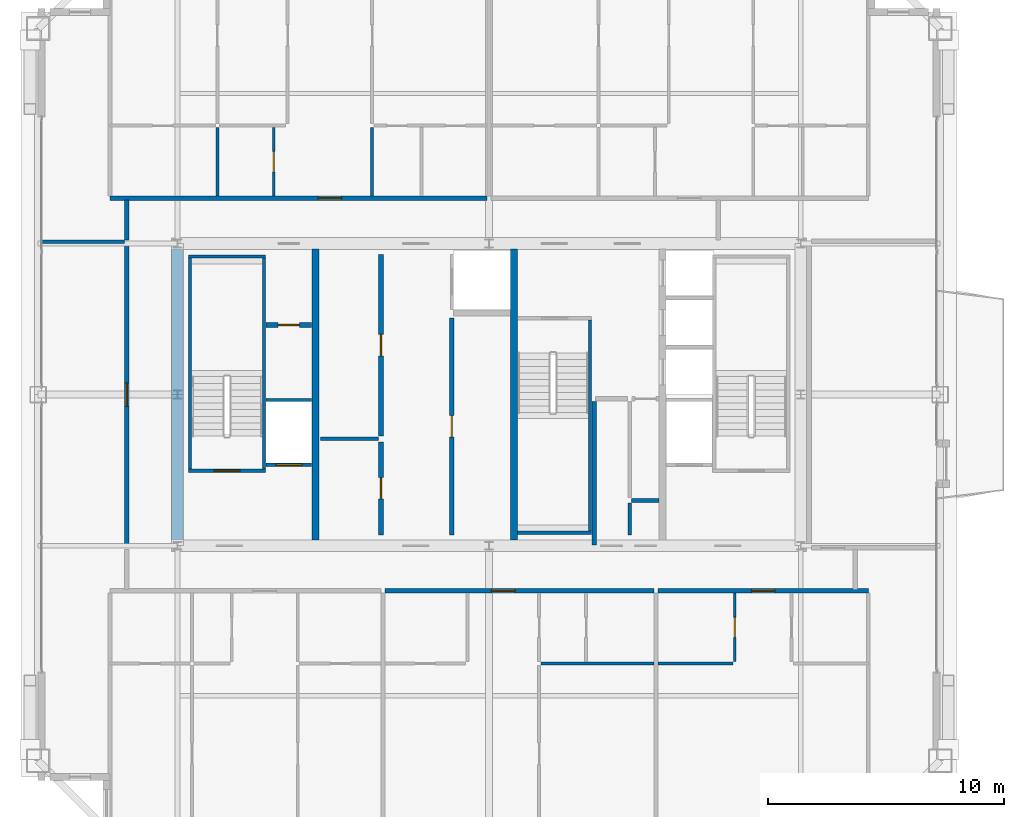
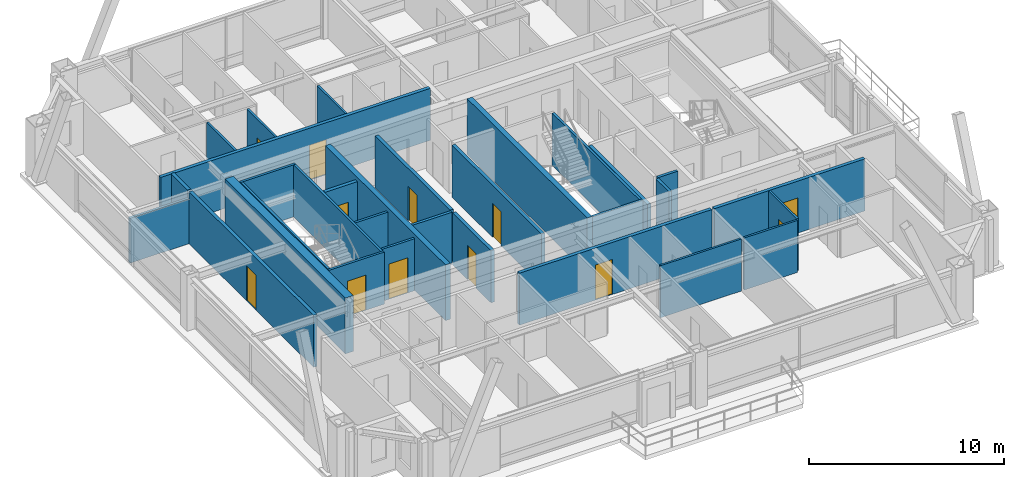
# One storey, part 31 of 35: 31 walls, 12 doors, 12 openings.
"""IFC4 building model written with IfcOpenShell, lengths in metres."""

from ifc_helpers import new_model, si_unit, direction, frame, frame_2d, origin, place, context, subcontext, project, spatial, rectangle, extrude, source, transform, mapped, material, layer, layer_set, type_object, element, fill, save


model = new_model("IFC4")

# Units and contexts
model_context = context("Model", 3, precision=1e-05, world=origin(), true_north=direction((0.0, 1.0)))
body_context = subcontext(model_context, "Body", "Model", "MODEL_VIEW")
ifc_project = project(units=[si_unit("LENGTHUNIT", "METRE"), si_unit("AREAUNIT", "SQUARE_METRE"), si_unit("VOLUMEUNIT", "CUBIC_METRE"), si_unit("PLANEANGLEUNIT", "RADIAN"), si_unit("MASSUNIT", "GRAM", prefix="KILO"), si_unit("THERMODYNAMICTEMPERATUREUNIT", "KELVIN"), si_unit("POWERUNIT", "WATT")], contexts=[model_context])

# Site, building, storey
site_placement = place(None, origin())
site = spatial("IfcSite", under=ifc_project, at=site_placement, CompositionType="ELEMENT")
building_placement = place(site_placement, origin())
building = spatial("IfcBuilding", under=site, at=building_placement, Name="Yuzanri Waterfront Tower", CompositionType="ELEMENT")
storey_placement = place(building_placement, frame((0.0, 0.0, 335.699951171875)))
storey = spatial("IfcBuildingStorey", under=building, at=storey_placement, Name="L90", CompositionType="ELEMENT", Elevation=335.699951171875)

# Wall, opening, door
ifc_material_1 = material(Name="Moisture-Resistant Gypsum Stud Wall", Category="gypsum")
ifc_layer_1 = layer(ifc_material_1, 0.1201171875)
ifc_layer_set_1 = layer_set([ifc_layer_1], Name="Moisture-Resistant Gypsum Stud Wall")
wall_type_1 = type_object("IfcWallType", Name="Bathroom and Kitchen Wet Partition 120", PredefinedType="PARTITIONING", material=ifc_layer_set_1)
wall_1_placement = place(storey_placement, frame((47.40087890625, 14.489990234375, 0.0), z_axis=(0.0, 0.0, 1.0), x_axis=(0.0, 1.0, 0.0)))
wall_1 = element("IfcWall", 1, at=wall_1_placement, inside=storey, type_object=wall_type_1, Name="L90 Partition UW-L90-HS3-SUB-1-E", PredefinedType="PARTITIONING", context=body_context, shape_type="SweptSolid", body=[
    extrude(rectangle(XDim=2.89990234375, YDim=0.1201171875, at=frame_2d((1.449951171875, 0.0))), origin(), (0.0, 0.0, 1.0), 3.260009765625),
])
opening_1_placement = place(wall_1_placement, frame((1.02490234375, 0.0, 0.0)))
opening_1 = element("IfcOpeningElement", 2, at=opening_1_placement, cuts=wall_1, Name="Opening ID-0850", PredefinedType="OPENING", context=body_context, shape_type="SweptSolid", body=[
    extrude(rectangle(XDim=0.85009765625, YDim=2.10009765625, at=frame_2d((0.425048828125, 1.050048828125))), frame((0.0, 0.074951171875, 0.0), z_axis=(0.0, -1.0, 0.0), x_axis=(1.0, 0.0, 0.0)), (0.0, 0.0, 1.0), 0.14990234375),
])
ifc_material_2 = material(Name="Moisture-Resistant Lacquered Timber", Category="wood")
door_type_1 = type_object("IfcDoorType", Name="En-Suite Bathroom and Kitchen Swing Door 850x2100", OperationType="NOTDEFINED", PredefinedType="DOOR", material=ifc_material_2)
shared_shape_1 = source(origin(), body_context, "Body", "SweptSolid", [
    extrude(rectangle(XDim=0.85009765625, YDim=2.10009765625, at=frame_2d((0.425048828125, 1.050048828125))), frame((0.0, 0.02490234375, 0.0), z_axis=(0.0, -1.0, 0.0), x_axis=(1.0, 0.0, 0.0)), (0.0, 0.0, 1.0), 0.050048828125),
])
door_1_placement = place(opening_1_placement, origin())
door_1 = element("IfcDoor", 3, at=door_1_placement, inside=storey, type_object=door_type_1, Name="L90 Suite Interior Room Door", OperationType="SINGLE_SWING_RIGHT", OverallHeight=2.10009765625, OverallWidth=0.85009765625, PredefinedType="DOOR", context=body_context, shape_type="MappedRepresentation", body=[
    mapped(shared_shape_1, transform((0.0, 0.0, 0.0), scale=1.0)),
])
fill(opening_1, door_1)

wall_2_placement = place(storey_placement, frame((27.882080078125, 34.2099609375, 0.0), z_axis=(0.0, 0.0, 1.0), x_axis=(0.0, 1.0, 0.0)))
wall_2 = element("IfcWall", 4, at=wall_2_placement, inside=storey, type_object=wall_type_1, Name="L90 Partition UW-L90-HN1-SUB-2-E", PredefinedType="PARTITIONING", context=body_context, shape_type="SweptSolid", body=[
    extrude(rectangle(XDim=2.900146484375, YDim=0.1201171875, at=frame_2d((1.4501953125, 0.0))), origin(), (0.0, 0.0, 1.0), 3.260009765625),
])
opening_2_placement = place(wall_2_placement, frame((1.02490234375, 0.0, 0.0)))
opening_2 = element("IfcOpeningElement", 5, at=opening_2_placement, cuts=wall_2, Name="Opening ID-0850", PredefinedType="OPENING", context=body_context, shape_type="SweptSolid", body=[
    extrude(rectangle(XDim=0.85009765625, YDim=2.10009765625, at=frame_2d((0.425048828125, 1.050048828125))), frame((0.0, 0.074951171875, 0.0), z_axis=(0.0, -1.0, 0.0), x_axis=(1.0, 0.0, 0.0)), (0.0, 0.0, 1.0), 0.14990234375),
])
door_2_placement = place(opening_2_placement, origin())
door_2 = element("IfcDoor", 6, at=door_2_placement, inside=storey, type_object=door_type_1, Name="L90 Suite Interior Room Door", OperationType="SINGLE_SWING_RIGHT", OverallHeight=2.10009765625, OverallWidth=0.85009765625, PredefinedType="DOOR", context=body_context, shape_type="MappedRepresentation", body=[
    mapped(shared_shape_1, transform((0.0, 0.0, 0.0), scale=1.0)),
])
fill(opening_2, door_2)

ifc_material_3 = material(Name="Concrete C40", Category="concrete")
ifc_layer_2 = layer(ifc_material_3, 0.139892578125)
ifc_layer_set_2 = layer_set([ifc_layer_2], Name="Concrete C40")
wall_type_2 = type_object("IfcWallType", Name="Core Stair Liner and Hoistway Shaft Wall 140", PredefinedType="SOLIDWALL", material=ifc_layer_set_2)
wall_3_placement = place(storey_placement, frame((27.56005859375, 22.830078125, 0.0), z_axis=(0.0, 0.0, 1.0), x_axis=(1.0, 0.0, 0.0)))
wall_3 = element("IfcWall", 7, at=wall_3_placement, inside=storey, type_object=wall_type_2, Name="L90 Lift FL-01 Front Shaft Wall", PredefinedType="SOLIDWALL", context=body_context, shape_type="SweptSolid", body=[
    extrude(rectangle(XDim=1.919921875, YDim=0.139892578125, at=frame_2d((0.9599609375, 0.0))), origin(), (0.0, 0.0, 1.0), 3.260009765625),
])
opening_3_placement = place(wall_3_placement, frame((0.409912109375, 0.0, 0.0)))
opening_3 = element("IfcOpeningElement", 8, at=opening_3_placement, cuts=wall_3, Name="Opening LD-FL-01", PredefinedType="OPENING", context=body_context, shape_type="SweptSolid", body=[
    extrude(rectangle(XDim=1.10009765625, YDim=2.199951171875, at=frame_2d((0.550048828125, 1.10009765625))), frame((0.0, 0.0849609375, 0.0), z_axis=(0.0, -1.0, 0.0), x_axis=(1.0, 0.0, 0.0)), (0.0, 0.0, 1.0), 0.169677734375),
])
ifc_material_4 = material(Name="Brushed Bronze and Stainless Steel Cab", Category="steel")
door_type_2 = type_object("IfcDoorType", Name="Center-Parting Bronze Lift Landing Sliding Door 1100x2200", OperationType="NOTDEFINED", PredefinedType="DOOR", material=ifc_material_4)
shared_shape_2 = source(origin(), body_context, "Body", "SweptSolid", [
    extrude(rectangle(XDim=1.10009765625, YDim=2.199951171875, at=frame_2d((0.550048828125, 1.10009765625))), frame((0.0, 0.02490234375, 0.0), z_axis=(0.0, -1.0, 0.0), x_axis=(1.0, 0.0, 0.0)), (0.0, 0.0, 1.0), 0.050048828125),
])
door_3_placement = place(opening_3_placement, origin())
door_3 = element("IfcDoor", 9, at=door_3_placement, inside=storey, type_object=door_type_2, Name="L90 FL-01 Lift Landing Sliding Door", OperationType="SLIDING_TO_LEFT", OverallHeight=2.199951171875, OverallWidth=1.10009765625, PredefinedType="DOOR", context=body_context, shape_type="MappedRepresentation", body=[
    mapped(shared_shape_2, transform((0.0, 0.0, 0.0), scale=1.0)),
])
fill(opening_3, door_3)

wall_4_placement = place(storey_placement, frame((24.260009765625, 22.570068359375, 0.0), z_axis=(0.0, 0.0, 1.0), x_axis=(1.0, 0.0, 0.0)))
wall_4 = element("IfcWall", 10, at=wall_4_placement, inside=storey, type_object=wall_type_2, Name="L90 Shaft Wall STW-L90-ST-01-S", PredefinedType="SOLIDWALL", context=body_context, shape_type="SweptSolid", body=[
    extrude(rectangle(XDim=3.280029296875, YDim=0.139892578125, at=frame_2d((1.64013671875, 0.0))), origin(), (0.0, 0.0, 1.0), 3.260009765625),
])
opening_4_placement = place(wall_4_placement, frame((1.090087890625, 0.0, 0.0)))
opening_4 = element("IfcOpeningElement", 11, at=opening_4_placement, cuts=wall_4, Name="Opening FD-1100", PredefinedType="OPENING", context=body_context, shape_type="SweptSolid", body=[
    extrude(rectangle(XDim=1.10009765625, YDim=2.199951171875, at=frame_2d((0.550048828125, 1.10009765625))), frame((0.0, 0.0849609375, 0.0), z_axis=(0.0, -1.0, 0.0), x_axis=(1.0, 0.0, 0.0)), (0.0, 0.0, 1.0), 0.169677734375),
])
ifc_material_5 = material(Name="Painted Galvanized Fire Steel", Category="steel")
door_type_3 = type_object("IfcDoorType", Name="Smoke-Proof Stair and Lobby Fire Door 1100x2200", OperationType="NOTDEFINED", PredefinedType="DOOR", material=ifc_material_5)
shared_shape_3 = source(origin(), body_context, "Body", "SweptSolid", [
    extrude(rectangle(XDim=1.10009765625, YDim=2.199951171875, at=frame_2d((0.550048828125, 1.10009765625))), frame((0.0, 0.02490234375, 0.0), z_axis=(0.0, -1.0, 0.0), x_axis=(1.0, 0.0, 0.0)), (0.0, 0.0, 1.0), 0.050048828125),
])
door_4_placement = place(opening_4_placement, origin())
door_4 = element("IfcDoor", 12, at=door_4_placement, inside=storey, type_object=door_type_3, Name="L90 Stair ST-01 Fire Door", OperationType="SINGLE_SWING_LEFT", OverallHeight=2.199951171875, OverallWidth=1.10009765625, PredefinedType="DOOR", context=body_context, shape_type="MappedRepresentation", body=[
    mapped(shared_shape_3, transform((0.0, 0.0, 0.0), scale=1.0)),
])
fill(opening_4, door_4)

ifc_material_6 = material(Name="Autoclaved Aerated Concrete Blockwork", Category="masonry")
ifc_layer_3 = layer(ifc_material_6, 0.199951171875)
ifc_layer_set_3 = layer_set([ifc_layer_3], Name="Autoclaved Aerated Concrete Blockwork")
wall_type_3 = type_object("IfcWallType", Name="Corridor and Unit Party Fire Wall 200", PredefinedType="PARTITIONING", material=ifc_layer_set_3)
wall_5_placement = place(storey_placement, frame((27.56005859375, 28.75, 0.0), z_axis=(0.0, 0.0, 1.0), x_axis=(1.0, 0.0, 0.0)))
wall_5 = element("IfcWall", 13, at=wall_5_placement, inside=storey, type_object=wall_type_3, Name="L90 Partition CRW-L90-ERTR", PredefinedType="PARTITIONING", context=body_context, shape_type="SweptSolid", body=[
    extrude(rectangle(XDim=1.919921875, YDim=0.199951171875, at=frame_2d((0.9599609375, 0.0))), origin(), (0.0, 0.0, 1.0), 3.260009765625),
])
opening_5_placement = place(wall_5_placement, frame((0.510009765625, 0.0, 0.0)))
opening_5 = element("IfcOpeningElement", 14, at=opening_5_placement, cuts=wall_5, Name="Opening FD-0900", PredefinedType="OPENING", context=body_context, shape_type="SweptSolid", body=[
    extrude(rectangle(XDim=0.89990234375, YDim=2.14990234375, at=frame_2d((0.449951171875, 1.074951171875))), frame((0.0, 0.11474609375, 0.0), z_axis=(0.0, -1.0, 0.0), x_axis=(1.0, 0.0, 0.0)), (0.0, 0.0, 1.0), 0.229736328125),
])
ifc_material_7 = material(Name="Painted Galvanized Fire Steel", Category="steel")
door_type_4 = type_object("IfcDoorType", Name="Riser and Service Room Fire Door 900x2150", OperationType="NOTDEFINED", PredefinedType="DOOR", material=ifc_material_7)
shared_shape_4 = source(origin(), body_context, "Body", "SweptSolid", [
    extrude(rectangle(XDim=0.89990234375, YDim=2.14990234375, at=frame_2d((0.449951171875, 1.074951171875))), frame((0.0, 0.02490234375, 0.0), z_axis=(0.0, -1.0, 0.0), x_axis=(1.0, 0.0, 0.0)), (0.0, 0.0, 1.0), 0.050048828125),
])
door_5_placement = place(opening_5_placement, origin())
door_5 = element("IfcDoor", 15, at=door_5_placement, inside=storey, type_object=door_type_4, Name="L90 Electrical Riser Door", OperationType="SINGLE_SWING_LEFT", OverallHeight=2.14990234375, OverallWidth=0.89990234375, PredefinedType="DOOR", context=body_context, shape_type="MappedRepresentation", body=[
    mapped(shared_shape_4, transform((0.0, 0.0, 0.0), scale=1.0)),
])
fill(opening_5, door_5)

wall_6_placement = place(storey_placement, frame((32.419921875, 19.860107421875, 0.0), z_axis=(0.0, 0.0, 1.0), x_axis=(0.0, 1.0, 0.0)))
wall_6 = element("IfcWall", 16, at=wall_6_placement, inside=storey, type_object=wall_type_3, Name="L90 Partition CRW-L90-B1R-1", PredefinedType="PARTITIONING", context=body_context, shape_type="SweptSolid", body=[
    extrude(rectangle(XDim=3.93994140625, YDim=0.199951171875, at=frame_2d((1.969970703125, 0.0))), origin(), (0.0, 0.0, 1.0), 3.260009765625),
])
opening_6_placement = place(wall_6_placement, frame((1.52001953125, 0.0, 0.0)))
opening_6 = element("IfcOpeningElement", 17, at=opening_6_placement, cuts=wall_6, Name="Opening FD-0900", PredefinedType="OPENING", context=body_context, shape_type="SweptSolid", body=[
    extrude(rectangle(XDim=0.89990234375, YDim=2.14990234375, at=frame_2d((0.449951171875, 1.074951171875))), frame((0.0, 0.11474609375, 0.0), z_axis=(0.0, -1.0, 0.0), x_axis=(1.0, 0.0, 0.0)), (0.0, 0.0, 1.0), 0.229736328125),
])
door_6_placement = place(opening_6_placement, origin())
door_6 = element("IfcDoor", 18, at=door_6_placement, inside=storey, type_object=door_type_4, Name="L90 Janitor Supply Store Room", OperationType="SINGLE_SWING_RIGHT", OverallHeight=2.14990234375, OverallWidth=0.89990234375, PredefinedType="DOOR", context=body_context, shape_type="MappedRepresentation", body=[
    mapped(shared_shape_4, transform((0.0, 0.0, 0.0), scale=1.0)),
])
fill(opening_6, door_6)

wall_7_placement = place(storey_placement, frame((32.419921875, 24.050048828125, 0.0), z_axis=(0.0, 0.0, 1.0), x_axis=(0.0, 1.0, 0.0)))
wall_7 = element("IfcWall", 19, at=wall_7_placement, inside=storey, type_object=wall_type_3, Name="L90 Partition CRW-L90-B1R-2", PredefinedType="PARTITIONING", context=body_context, shape_type="SweptSolid", body=[
    extrude(rectangle(XDim=7.68994140625, YDim=0.199951171875, at=frame_2d((3.844970703125, 0.0))), origin(), (0.0, 0.0, 1.0), 3.260009765625),
])
opening_7_placement = place(wall_7_placement, frame((3.39501953125, 0.0, 0.0)))
opening_7 = element("IfcOpeningElement", 20, at=opening_7_placement, cuts=wall_7, Name="Opening FD-0900", PredefinedType="OPENING", context=body_context, shape_type="SweptSolid", body=[
    extrude(rectangle(XDim=0.89990234375, YDim=2.14990234375, at=frame_2d((0.449951171875, 1.074951171875))), frame((0.0, 0.11474609375, 0.0), z_axis=(0.0, -1.0, 0.0), x_axis=(1.0, 0.0, 0.0)), (0.0, 0.0, 1.0), 0.229736328125),
])
door_7_placement = place(opening_7_placement, origin())
door_7 = element("IfcDoor", 21, at=door_7_placement, inside=storey, type_object=door_type_4, Name="L90 Common Store Room", OperationType="SINGLE_SWING_LEFT", OverallHeight=2.14990234375, OverallWidth=0.89990234375, PredefinedType="DOOR", context=body_context, shape_type="MappedRepresentation", body=[
    mapped(shared_shape_4, transform((0.0, 0.0, 0.0), scale=1.0)),
])
fill(opening_7, door_7)

wall_8_placement = place(storey_placement, frame((35.419921875, 19.860107421875, 0.0), z_axis=(0.0, 0.0, 1.0), x_axis=(0.0, 1.0, 0.0)))
wall_8 = element("IfcWall", 22, at=wall_8_placement, inside=storey, type_object=wall_type_3, Name="L90 Partition CRW-L90-B2R-1", PredefinedType="PARTITIONING", context=body_context, shape_type="SweptSolid", body=[
    extrude(rectangle(XDim=9.18994140625, YDim=0.199951171875, at=frame_2d((4.594970703125, 0.0))), origin(), (0.0, 0.0, 1.0), 3.260009765625),
])
opening_8_placement = place(wall_8_placement, frame((4.14501953125, 0.0, 0.0)))
opening_8 = element("IfcOpeningElement", 23, at=opening_8_placement, cuts=wall_8, Name="Opening FD-0900", PredefinedType="OPENING", context=body_context, shape_type="SweptSolid", body=[
    extrude(rectangle(XDim=0.89990234375, YDim=2.14990234375, at=frame_2d((0.449951171875, 1.074951171875))), frame((0.0, 0.11474609375, 0.0), z_axis=(0.0, -1.0, 0.0), x_axis=(1.0, 0.0, 0.0)), (0.0, 0.0, 1.0), 0.229736328125),
])
door_8_placement = place(opening_8_placement, origin())
door_8 = element("IfcDoor", 24, at=door_8_placement, inside=storey, type_object=door_type_4, Name="L90 Upper General Store Room", OperationType="SINGLE_SWING_RIGHT", OverallHeight=2.14990234375, OverallWidth=0.89990234375, PredefinedType="DOOR", context=body_context, shape_type="MappedRepresentation", body=[
    mapped(shared_shape_4, transform((0.0, 0.0, 0.0), scale=1.0)),
])
fill(opening_8, door_8)

wall_9_placement = place(storey_placement, frame((32.5830078125, 17.489990234375, 0.0), z_axis=(0.0, 0.0, 1.0), x_axis=(1.0, 0.0, 0.0)))
wall_9 = element("IfcWall", 25, at=wall_9_placement, inside=storey, type_object=wall_type_3, Name="L90 Partition UW-L90-HS2-CN", PredefinedType="PARTITIONING", context=body_context, shape_type="SweptSolid", body=[
    extrude(rectangle(XDim=11.403076171875, YDim=0.199951171875, at=frame_2d((5.70166015625, 0.0))), origin(), (0.0, 0.0, 1.0), 3.260009765625),
])
opening_9_placement = place(wall_9_placement, frame((4.51708984375, 0.0, 0.0)))
opening_9 = element("IfcOpeningElement", 26, at=opening_9_placement, cuts=wall_9, Name="Opening FD-1000", PredefinedType="OPENING", context=body_context, shape_type="SweptSolid", body=[
    extrude(rectangle(XDim=1.0, YDim=2.199951171875, at=frame_2d((0.5, 1.10009765625))), frame((0.0, 0.11474609375, 0.0), z_axis=(0.0, -1.0, 0.0), x_axis=(1.0, 0.0, 0.0)), (0.0, 0.0, 1.0), 0.229736328125),
])
ifc_material_8 = material(Name="Engineered Oak Fire-Rated Timber", Category="wood")
door_type_5 = type_object("IfcDoorType", Name="Guestroom and Apartment Entrance Fire Door 1000x2200", OperationType="NOTDEFINED", PredefinedType="DOOR", material=ifc_material_8)
shared_shape_5 = source(origin(), body_context, "Body", "SweptSolid", [
    extrude(rectangle(XDim=1.0, YDim=2.199951171875, at=frame_2d((0.5, 1.10009765625))), frame((0.0, 0.02490234375, 0.0), z_axis=(0.0, -1.0, 0.0), x_axis=(1.0, 0.0, 0.0)), (0.0, 0.0, 1.0), 0.050048828125),
])
door_9_placement = place(opening_9_placement, origin())
door_9 = element("IfcDoor", 27, at=door_9_placement, inside=storey, type_object=door_type_5, Name="L90 Apartment Living Room Entrance Door", OperationType="SINGLE_SWING_RIGHT", OverallHeight=2.199951171875, OverallWidth=1.0, PredefinedType="DOOR", context=body_context, shape_type="MappedRepresentation", body=[
    mapped(shared_shape_5, transform((0.0, 0.0, 0.0), scale=1.0)),
])
fill(opening_9, door_9)

wall_10_placement = place(storey_placement, frame((44.14599609375, 17.489990234375, 0.0), z_axis=(0.0, 0.0, 1.0), x_axis=(1.0, 0.0, 0.0)))
wall_10 = element("IfcWall", 28, at=wall_10_placement, inside=storey, type_object=wall_type_3, Name="L90 Partition UW-L90-HS3-CN", PredefinedType="PARTITIONING", context=body_context, shape_type="SweptSolid", body=[
    extrude(rectangle(XDim=8.9140625, YDim=0.199951171875, at=frame_2d((4.45703125, 0.0))), origin(), (0.0, 0.0, 1.0), 3.260009765625),
])
opening_10_placement = place(wall_10_placement, frame((3.95703125, 0.0, 0.0)))
opening_10 = element("IfcOpeningElement", 29, at=opening_10_placement, cuts=wall_10, Name="Opening FD-1000", PredefinedType="OPENING", context=body_context, shape_type="SweptSolid", body=[
    extrude(rectangle(XDim=1.0, YDim=2.199951171875, at=frame_2d((0.5, 1.10009765625))), frame((0.0, 0.11474609375, 0.0), z_axis=(0.0, -1.0, 0.0), x_axis=(1.0, 0.0, 0.0)), (0.0, 0.0, 1.0), 0.229736328125),
])
door_10_placement = place(opening_10_placement, origin())
door_10 = element("IfcDoor", 30, at=door_10_placement, inside=storey, type_object=door_type_5, Name="L90 Studio Living and Sleeping Room Entrance Door", OperationType="SINGLE_SWING_LEFT", OverallHeight=2.199951171875, OverallWidth=1.0, PredefinedType="DOOR", context=body_context, shape_type="MappedRepresentation", body=[
    mapped(shared_shape_5, transform((0.0, 0.0, 0.0), scale=1.0)),
])
fill(opening_10, door_10)

wall_11_placement = place(storey_placement, frame((20.93994140625, 34.110107421875, 0.0), z_axis=(0.0, 0.0, 1.0), x_axis=(1.0, 0.0, 0.0)))
wall_11 = element("IfcWall", 31, at=wall_11_placement, inside=storey, type_object=wall_type_3, Name="L90 Partition UW-L90-HN1-CS", PredefinedType="PARTITIONING", context=body_context, shape_type="SweptSolid", body=[
    extrude(rectangle(XDim=15.97998046875, YDim=0.199951171875, at=frame_2d((7.989990234375, 0.0))), origin(), (0.0, 0.0, 1.0), 3.260009765625),
])
opening_11_placement = place(wall_11_placement, frame((8.81591796875, 0.0, 0.0)))
opening_11 = element("IfcOpeningElement", 32, at=opening_11_placement, cuts=wall_11, Name="Opening FD-1000", PredefinedType="OPENING", context=body_context, shape_type="SweptSolid", body=[
    extrude(rectangle(XDim=1.0, YDim=2.199951171875, at=frame_2d((0.5, 1.10009765625))), frame((0.0, 0.11474609375, 0.0), z_axis=(0.0, -1.0, 0.0), x_axis=(1.0, 0.0, 0.0)), (0.0, 0.0, 1.0), 0.229736328125),
])
door_11_placement = place(opening_11_placement, origin())
door_11 = element("IfcDoor", 33, at=door_11_placement, inside=storey, type_object=door_type_5, Name="L90 Apartment Living and Dining Salon Entrance Door", OperationType="SINGLE_SWING_RIGHT", OverallHeight=2.199951171875, OverallWidth=1.0, PredefinedType="DOOR", context=body_context, shape_type="MappedRepresentation", body=[
    mapped(shared_shape_5, transform((0.0, 0.0, 0.0), scale=1.0)),
])
fill(opening_11, door_11)

wall_12_placement = place(storey_placement, frame((21.64990234375, 19.409912109375, 0.0), z_axis=(0.0, 0.0, 1.0), x_axis=(0.0, 1.0, 0.0)))
wall_12 = element("IfcWall", 34, at=wall_12_placement, inside=storey, type_object=wall_type_3, Name="L90 Partition UW-L90-050-CW", PredefinedType="PARTITIONING", context=body_context, shape_type="SweptSolid", body=[
    extrude(rectangle(XDim=12.780029296875, YDim=0.199951171875, at=frame_2d((6.39013671875, 0.0))), origin(), (0.0, 0.0, 1.0), 3.260009765625),
])
opening_12_placement = place(wall_12_placement, frame((5.889892578125, 0.0, 0.0)))
opening_12 = element("IfcOpeningElement", 35, at=opening_12_placement, cuts=wall_12, Name="Opening FD-1000", PredefinedType="OPENING", context=body_context, shape_type="SweptSolid", body=[
    extrude(rectangle(XDim=1.0, YDim=2.199951171875, at=frame_2d((0.5, 1.10009765625))), frame((0.0, 0.11474609375, 0.0), z_axis=(0.0, -1.0, 0.0), x_axis=(1.0, 0.0, 0.0)), (0.0, 0.0, 1.0), 0.229736328125),
])
door_12_placement = place(opening_12_placement, origin())
door_12 = element("IfcDoor", 36, at=door_12_placement, inside=storey, type_object=door_type_5, Name="L90 High-Rise W Wellness Gym Studio Entrance Door", OperationType="SINGLE_SWING_RIGHT", OverallHeight=2.199951171875, OverallWidth=1.0, PredefinedType="DOOR", context=body_context, shape_type="MappedRepresentation", body=[
    mapped(shared_shape_5, transform((0.0, 0.0, 0.0), scale=1.0)),
])
fill(opening_12, door_12)

# Walls
ifc_material_9 = material(Name="Concrete C45", Category="concrete")
ifc_layer_4 = layer(ifc_material_9, 0.47998046875)
ifc_layer_set_4 = layer_set([ifc_layer_4], Name="Concrete C45")
wall_type_4 = type_object("IfcWallType", Name="Concrete C45 High-Rise Core Shear Wall 480", PredefinedType="SHEAR", material=ifc_layer_set_4)
shared_shape_6 = source(origin(), body_context, "Body", "SweptSolid", [
    extrude(rectangle(XDim=12.320068359375, YDim=0.47998046875, at=frame_2d((6.16015625, 0.0))), origin(), (0.0, 0.0, 1.0), 3.5),
])
wall_13_placement = place(storey_placement, frame((23.800048828125, 19.639892578125, 0.0), z_axis=(0.0, 0.0, 1.0), x_axis=(0.0, 1.0, 0.0)))
element("IfcWall", 37, at=wall_13_placement, inside=storey, type_object=wall_type_4, Name="L90 Core West Shear Wall", PredefinedType="SHEAR", context=body_context, shape_type="MappedRepresentation", body=[
    mapped(shared_shape_6, transform((0.0, 0.0, 0.0), scale=1.0)),
])
ifc_material_10 = material(Name="Concrete C50", Category="concrete")
ifc_layer_5 = layer(ifc_material_10, 0.300048828125)
ifc_layer_set_5 = layer_set([ifc_layer_5], Name="Concrete C50")
wall_type_5 = type_object("IfcWallType", Name="Concrete C50 Internal Core Shaft Structural Wall 300", PredefinedType="SOLIDWALL", material=ifc_layer_set_5)
shared_shape_7 = source(origin(), body_context, "Body", "SweptSolid", [
    extrude(rectangle(XDim=12.320068359375, YDim=0.300048828125, at=frame_2d((6.16015625, 0.0))), origin(), (0.0, 0.0, 1.0), 3.5),
])
for number, where, z_axis, x_axis, name in (
    (38, (29.64990234375, 19.639892578125, 0.0), (0.0, 0.0, 1.0), (0.0, 1.0, 0.0), "L90 Core Internal Structural Web Wall 1"),
    (39, (38.050048828125, 19.639892578125, 0.0), (0.0, 0.0, 1.0), (0.0, 1.0, 0.0), "L90 Core Internal Structural Web Wall 2"),
):
    element("IfcWall", number, at=place(storey_placement, frame(where, z_axis=z_axis, x_axis=x_axis)), inside=storey, type_object=wall_type_5, Name=name, PredefinedType="SOLIDWALL", context=body_context, shape_type="MappedRepresentation", body=[
        mapped(shared_shape_7, transform((0.0, 0.0, 0.0), scale=1.0)),
    ])
shared_shape_8 = source(origin(), body_context, "Body", "SweptSolid", [
    extrude(rectangle(XDim=1.919921875, YDim=0.139892578125, at=frame_2d((0.9599609375, 0.0))), origin(), (0.0, 0.0, 1.0), 3.260009765625),
])
wall_14_placement = place(storey_placement, frame((27.56005859375, 25.570068359375, 0.0), z_axis=(0.0, 0.0, 1.0), x_axis=(1.0, 0.0, 0.0)))
element("IfcWall", 40, at=wall_14_placement, inside=storey, type_object=wall_type_2, Name="L90 Lift FL-01 Back Shaft Wall", PredefinedType="SOLIDWALL", context=body_context, shape_type="MappedRepresentation", body=[
    mapped(shared_shape_8, transform((0.0, 0.0, 0.0), scale=1.0)),
])
shared_shape_9 = source(origin(), body_context, "Body", "SweptSolid", [
    extrude(rectangle(XDim=3.280029296875, YDim=0.139892578125, at=frame_2d((1.64013671875, 0.0))), origin(), (0.0, 0.0, 1.0), 3.260009765625),
])
wall_15_placement = place(storey_placement, frame((24.260009765625, 31.64990234375, 0.0), z_axis=(0.0, 0.0, 1.0), x_axis=(1.0, 0.0, 0.0)))
element("IfcWall", 41, at=wall_15_placement, inside=storey, type_object=wall_type_2, Name="L90 Stair ST-01 North Shaft Wall", PredefinedType="SOLIDWALL", context=body_context, shape_type="MappedRepresentation", body=[
    mapped(shared_shape_9, transform((0.0, 0.0, 0.0), scale=1.0)),
])
shared_shape_10 = source(origin(), body_context, "Body", "SweptSolid", [
    extrude(rectangle(XDim=8.940185546875, YDim=0.139892578125, at=frame_2d((4.47021484375, 0.0))), origin(), (0.0, 0.0, 1.0), 3.260009765625),
])
for number, where, z_axis, x_axis, name in (
    (42, (24.330078125, 22.639892578125, 0.0), (0.0, 0.0, 1.0), (0.0, 1.0, 0.0), "L90 Stair ST-01 West Shaft Wall"),
    (43, (27.469970703125, 22.639892578125, 0.0), (0.0, 0.0, 1.0), (0.0, 1.0, 0.0), "L90 Stair ST-01 East Shaft Wall"),
):
    element("IfcWall", number, at=place(storey_placement, frame(where, z_axis=z_axis, x_axis=x_axis)), inside=storey, type_object=wall_type_2, Name=name, PredefinedType="SOLIDWALL", context=body_context, shape_type="MappedRepresentation", body=[
        mapped(shared_shape_10, transform((0.0, 0.0, 0.0), scale=1.0)),
    ])
shared_shape_11 = source(origin(), body_context, "Body", "SweptSolid", [
    extrude(rectangle(XDim=3.14013671875, YDim=0.139892578125, at=frame_2d((1.570068359375, 0.0))), origin(), (0.0, 0.0, 1.0), 3.260009765625),
])
wall_16_placement = place(storey_placement, frame((38.199951171875, 19.949951171875, 0.0), z_axis=(0.0, 0.0, 1.0), x_axis=(1.0, 0.0, 0.0)))
element("IfcWall", 44, at=wall_16_placement, inside=storey, type_object=wall_type_2, Name="L90 Stair ST-03 South Shaft Wall", PredefinedType="SOLIDWALL", context=body_context, shape_type="MappedRepresentation", body=[
    mapped(shared_shape_11, transform((0.0, 0.0, 0.0), scale=1.0)),
])
shared_shape_12 = source(origin(), body_context, "Body", "SweptSolid", [
    extrude(rectangle(XDim=8.93994140625, YDim=0.139892578125, at=frame_2d((4.469970703125, 0.0))), origin(), (0.0, 0.0, 1.0), 3.260009765625),
])
wall_17_placement = place(storey_placement, frame((41.27001953125, 20.02001953125, 0.0), z_axis=(0.0, 0.0, 1.0), x_axis=(0.0, 1.0, 0.0)))
element("IfcWall", 45, at=wall_17_placement, inside=storey, type_object=wall_type_2, Name="L90 Stair ST-03 East Shaft Wall", PredefinedType="SOLIDWALL", context=body_context, shape_type="MappedRepresentation", body=[
    mapped(shared_shape_12, transform((0.0, 0.0, 0.0), scale=1.0)),
])
ifc_material_11 = material(Name="Gypsum Fireboard Acoustic Stud Wall", Category="gypsum")
ifc_layer_6 = layer(ifc_material_11, 0.159912109375)
ifc_layer_set_6 = layer_set([ifc_layer_6], Name="Gypsum Fireboard Acoustic Stud Wall")
wall_type_6 = type_object("IfcWallType", Name="Acoustic Suite Demising Partition 160", PredefinedType="PARTITIONING", material=ifc_layer_set_6)
shared_shape_13 = source(origin(), body_context, "Body", "SweptSolid", [
    extrude(rectangle(XDim=2.469970703125, YDim=0.159912109375, at=frame_2d((1.23486328125, 0.0))), origin(), (0.0, 0.0, 1.0), 3.260009765625),
])
wall_18_placement = place(storey_placement, frame((29.85009765625, 23.929931640625, 0.0), z_axis=(0.0, 0.0, 1.0), x_axis=(1.0, 0.0, 0.0)))
element("IfcWall", 46, at=wall_18_placement, inside=storey, type_object=wall_type_6, Name="L90 Reclaimed Core Divider 2", PredefinedType="PARTITIONING", context=body_context, shape_type="MappedRepresentation", body=[
    mapped(shared_shape_13, transform((0.0, 0.0, 0.0), scale=1.0)),
])
shared_shape_14 = source(origin(), body_context, "Body", "SweptSolid", [
    extrude(rectangle(XDim=1.33984375, YDim=0.159912109375, at=frame_2d((0.669921875, 0.0))), origin(), (0.0, 0.0, 1.0), 3.260009765625),
])
wall_19_placement = place(storey_placement, frame((42.949951171875, 19.860107421875, 0.0), z_axis=(0.0, 0.0, 1.0), x_axis=(0.0, 1.0, 0.0)))
element("IfcWall", 47, at=wall_19_placement, inside=storey, type_object=wall_type_6, Name="L90 East Wet Riser West Wall", PredefinedType="PARTITIONING", context=body_context, shape_type="MappedRepresentation", body=[
    mapped(shared_shape_14, transform((0.0, 0.0, 0.0), scale=1.0)),
])
shared_shape_15 = source(origin(), body_context, "Body", "SweptSolid", [
    extrude(rectangle(XDim=1.169921875, YDim=0.159912109375, at=frame_2d((0.5849609375, 0.0))), origin(), (0.0, 0.0, 1.0), 3.260009765625),
])
wall_20_placement = place(storey_placement, frame((43.030029296875, 21.320068359375, 0.0), z_axis=(0.0, 0.0, 1.0), x_axis=(1.0, 0.0, 0.0)))
element("IfcWall", 48, at=wall_20_placement, inside=storey, type_object=wall_type_6, Name="L90 East Wet Riser North Wall", PredefinedType="PARTITIONING", context=body_context, shape_type="MappedRepresentation", body=[
    mapped(shared_shape_15, transform((0.0, 0.0, 0.0), scale=1.0)),
])
shared_shape_16 = source(origin(), body_context, "Body", "SweptSolid", [
    extrude(rectangle(XDim=6.06005859375, YDim=0.199951171875, at=frame_2d((3.030029296875, 0.0))), origin(), (0.0, 0.0, 1.0), 3.260009765625),
])
wall_21_placement = place(storey_placement, frame((41.449951171875, 19.43994140625, 0.0), z_axis=(0.0, 0.0, 1.0), x_axis=(0.0, 1.0, 0.0)))
element("IfcWall", 49, at=wall_21_placement, inside=storey, type_object=wall_type_3, Name="L90 Core BOH West Wall 1", PredefinedType="PARTITIONING", context=body_context, shape_type="MappedRepresentation", body=[
    mapped(shared_shape_16, transform((0.0, 0.0, 0.0), scale=1.0)),
])
shared_shape_17 = source(origin(), body_context, "Body", "SweptSolid", [
    extrude(rectangle(XDim=1.699951171875, YDim=0.199951171875, at=frame_2d((0.85009765625, 0.0))), origin(), (0.0, 0.0, 1.0), 3.260009765625),
])
wall_22_placement = place(storey_placement, frame((21.64990234375, 32.35009765625, 0.0), z_axis=(0.0, 0.0, 1.0), x_axis=(0.0, 1.0, 0.0)))
element("IfcWall", 50, at=wall_22_placement, inside=storey, type_object=wall_type_3, Name="L90 North Foyer West End Wall", PredefinedType="PARTITIONING", context=body_context, shape_type="MappedRepresentation", body=[
    mapped(shared_shape_17, transform((0.0, 0.0, 0.0), scale=1.0)),
])
shared_shape_18 = source(origin(), body_context, "Body", "SweptSolid", [
    extrude(rectangle(XDim=4.7890625, YDim=0.1201171875, at=frame_2d((2.39453125, 0.0))), origin(), (0.0, 0.0, 1.0), 3.260009765625),
])
wall_23_placement = place(storey_placement, frame((39.197021484375, 14.409912109375, 0.0), z_axis=(0.0, 0.0, 1.0), x_axis=(1.0, 0.0, 0.0)))
element("IfcWall", 51, at=wall_23_placement, inside=storey, type_object=wall_type_1, Name="L90 Partition UW-L90-HS2-SUB-3-N", PredefinedType="PARTITIONING", context=body_context, shape_type="MappedRepresentation", body=[
    mapped(shared_shape_18, transform((0.0, 0.0, 0.0), scale=1.0)),
])
shared_shape_19 = source(origin(), body_context, "Body", "SweptSolid", [
    extrude(rectangle(XDim=3.175048828125, YDim=0.1201171875, at=frame_2d((1.58740234375, 0.0))), origin(), (0.0, 0.0, 1.0), 3.260009765625),
])
wall_24_placement = place(storey_placement, frame((44.14599609375, 14.409912109375, 0.0), z_axis=(0.0, 0.0, 1.0), x_axis=(1.0, 0.0, 0.0)))
element("IfcWall", 52, at=wall_24_placement, inside=storey, type_object=wall_type_1, Name="L90 Partition UW-L90-HS3-SUB-1-S", PredefinedType="PARTITIONING", context=body_context, shape_type="MappedRepresentation", body=[
    mapped(shared_shape_19, transform((0.0, 0.0, 0.0), scale=1.0)),
])
shared_shape_20 = source(origin(), body_context, "Body", "SweptSolid", [
    extrude(rectangle(XDim=2.900146484375, YDim=0.1201171875, at=frame_2d((1.4501953125, 0.0))), origin(), (0.0, 0.0, 1.0), 3.260009765625),
])
for number, where, z_axis, x_axis, name in (
    (53, (25.493896484375, 34.2099609375, 0.0), (0.0, 0.0, 1.0), (0.0, 1.0, 0.0), "L90 Partition UW-L90-HN1-SUB-1-E"),
    (54, (32.0458984375, 34.2099609375, 0.0), (0.0, 0.0, 1.0), (0.0, 1.0, 0.0), "L90 Partition UW-L90-HN1-SUB-4-W"),
):
    element("IfcWall", number, at=place(storey_placement, frame(where, z_axis=z_axis, x_axis=x_axis)), inside=storey, type_object=wall_type_1, Name=name, PredefinedType="PARTITIONING", context=body_context, shape_type="MappedRepresentation", body=[
        mapped(shared_shape_20, transform((0.0, 0.0, 0.0), scale=1.0)),
    ])
shared_shape_21 = source(origin(), body_context, "Body", "SweptSolid", [
    extrude(rectangle(XDim=3.5, YDim=0.159912109375, at=frame_2d((1.75, 0.0))), origin(), (0.0, 0.0, 1.0), 2.804931640625),
])
wall_25_placement = place(storey_placement, frame((18.050048828125, 32.27001953125, 0.0), z_axis=(0.0, 0.0, 1.0), x_axis=(1.0, 0.0, 0.0)))
element("IfcWall", 55, at=wall_25_placement, inside=storey, type_object=wall_type_6, Name="L90-050 Wing North End Wall", PredefinedType="PARTITIONING", context=body_context, shape_type="MappedRepresentation", body=[
    mapped(shared_shape_21, transform((0.0, 0.0, 0.0), scale=1.0)),
])

save(model, "model.ifc")
